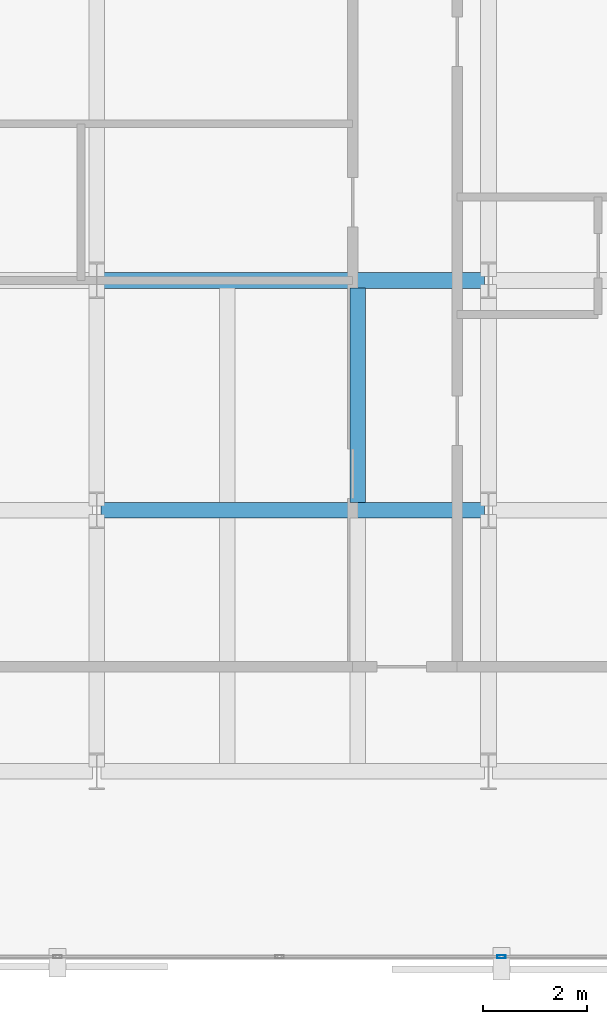
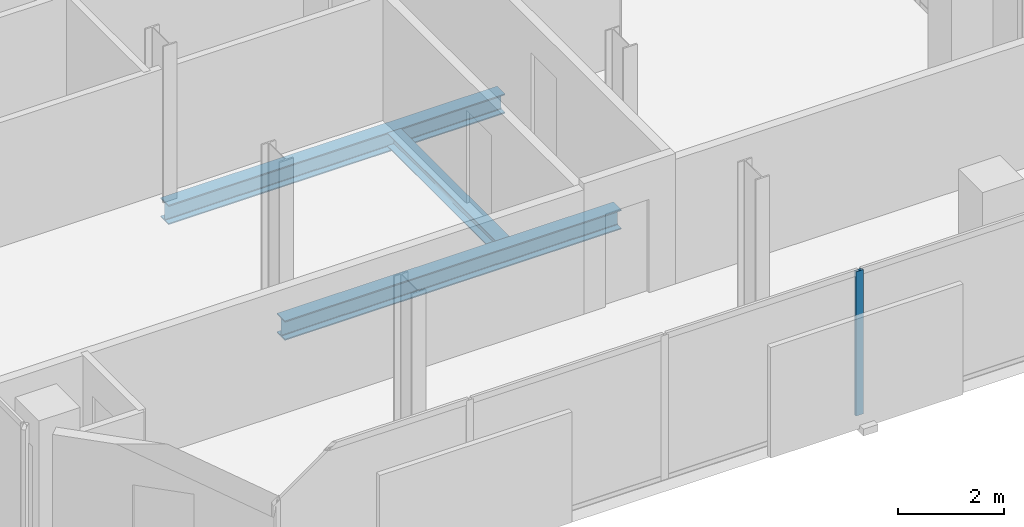
# One storey, part 6 of 33: 3 beams, 1 member, 1 element without a shape of its own.
"""IFC4 building model written with IfcOpenShell, lengths in metres."""

from ifc_helpers import new_model, si_unit, direction, frame, origin, origin_2d, place, context, subcontext, project, spatial, hollow_rectangle, i_section, extrude, material, layer, layer_set, material_profile, profile_set, type_object, element, aggregate, save


model = new_model("IFC4")

# Units and contexts
model_context = context("Model", 3, precision=1e-05, world=origin(), true_north=direction((0.0, 1.0)))
body_context = subcontext(model_context, "Body", "Model", "MODEL_VIEW")
ifc_project = project(units=[si_unit("LENGTHUNIT", "METRE"), si_unit("AREAUNIT", "SQUARE_METRE"), si_unit("VOLUMEUNIT", "CUBIC_METRE"), si_unit("PLANEANGLEUNIT", "RADIAN"), si_unit("MASSUNIT", "GRAM", prefix="KILO")], contexts=[model_context])

# Site, building, storey
site_placement = place(None, origin())
site = spatial("IfcSite", under=ifc_project, at=site_placement, CompositionType="ELEMENT")
building_placement = place(site_placement, origin())
building = spatial("IfcBuilding", under=site, at=building_placement, Name="Catumbela Crestline Tower", CompositionType="ELEMENT")
storey_placement = place(building_placement, frame((0.0, 0.0, 104.4)))
storey = spatial("IfcBuildingStorey", under=building, at=storey_placement, Name="L26", CompositionType="ELEMENT", Elevation=104.4)

# Beams
ifc_material_1 = material(Name="Structural steel S355J2", Category="steel")
ifc_material_profile_1 = material_profile(ifc_material_1, i_section(OverallWidth=0.3, OverallDepth=0.45, WebThickness=0.014, FlangeThickness=0.026, FilletRadius=0.027, at=origin_2d()), Name="HEB 450")
ifc_profile_set_1 = profile_set([ifc_material_profile_1], Name="Structural steel S355J2")
beam_type_1 = type_object("IfcBeamType", Name="BG-HEB450", PredefinedType="BEAM", material=ifc_profile_set_1)
for number, where, z_axis, x_axis, name in (
    (1, (8.58, 13.6, -0.485), (1.0, 0.0, 0.0), (0.0, 1.0, 0.0), "L26 Beam BM-L26-WEW47"),
    (2, (8.58, 18.0, -0.485), (1.0, 0.0, 0.0), (0.0, 1.0, 0.0), "L26 Beam BM-L26-WEW50"),
):
    element("IfcBeam", number, at=place(storey_placement, frame(where, z_axis=z_axis, x_axis=x_axis)), inside=storey, type_object=beam_type_1, Name=name, PredefinedType="BEAM", context=body_context, shape_type="SweptSolid", body=[
        extrude(i_section(OverallWidth=0.3, OverallDepth=0.45, WebThickness=0.014, FlangeThickness=0.026, FilletRadius=0.027, at=origin_2d()), origin(), (0.0, 0.0, 1.0), 7.34),
    ])
ifc_material_profile_2 = material_profile(ifc_material_1, i_section(OverallWidth=0.3, OverallDepth=0.31, WebThickness=0.009, FlangeThickness=0.0155, FilletRadius=0.027, at=origin_2d()), Name="HEA 320")
ifc_profile_set_2 = profile_set([ifc_material_profile_2], Name="Structural steel S355J2")
beam_type_2 = type_object("IfcBeamType", Name="BJ-HEA320", PredefinedType="JOIST", material=ifc_profile_set_2)
beam_placement = place(storey_placement, frame((13.5, 13.747, -0.415), z_axis=(0.0, 1.0, 0.0), x_axis=(-1.0, 0.0, 0.0)))
element("IfcBeam", 3, at=beam_placement, inside=storey, type_object=beam_type_2, Name="L26 Joist JS-L26-WG72", PredefinedType="JOIST", context=body_context, shape_type="SweptSolid", body=[
    extrude(i_section(OverallWidth=0.3, OverallDepth=0.31, WebThickness=0.009, FlangeThickness=0.0155, FilletRadius=0.027, at=origin_2d()), origin(), (0.0, 0.0, 1.0), 4.106),
])

# Curtain wall, member
ifc_material_2 = material(Name="Aluminium alloy AW-6060-T66", Category="aluminium")
ifc_layer = layer(ifc_material_2, 0.18, Name="Aluminium alloy AW-6060-T66")
ifc_layer_set = layer_set([ifc_layer], Name="Aluminium alloy AW-6060-T66")
curtain_wall_type = type_object("IfcCurtainWallType", Name="CWU-Z2", PredefinedType="USERDEFINED", material=ifc_layer_set)
curtain_wall_placement = place(storey_placement, origin())
curtain_wall = element("IfcCurtainWall", 4, at=curtain_wall_placement, inside=storey, type_object=curtain_wall_type, Name="L26 Unitised Curtain Wall CW-L26-E0S1", ObjectType="UNITISED", PredefinedType="USERDEFINED")
ifc_material_profile_3 = material_profile(ifc_material_2, hollow_rectangle(XDim=0.06, YDim=0.16, WallThickness=0.004, at=origin_2d()), Name="ALU 160x60x4")
ifc_profile_set_3 = profile_set([ifc_material_profile_3], Name="Aluminium alloy AW-6060-T66")
member_type = type_object("IfcMemberType", Name="MUL-160X60", PredefinedType="MULLION", material=ifc_profile_set_3)
member_placement = place(storey_placement, frame((16.25, 5.05, 0.0), z_axis=(0.0, 0.0, 1.0), x_axis=(0.0, 1.0, 0.0)))
member = element("IfcMember", 5, at=member_placement, type_object=member_type, Name="CWU-Z2 mullion 4", PredefinedType="MULLION", context=body_context, shape_type="SweptSolid", body=[
    extrude(hollow_rectangle(XDim=0.06, YDim=0.16, WallThickness=0.004, at=origin_2d()), origin(), (0.0, 0.0, 1.0), 3.33),
])
aggregate(curtain_wall, [member])

save(model, "model.ifc")
